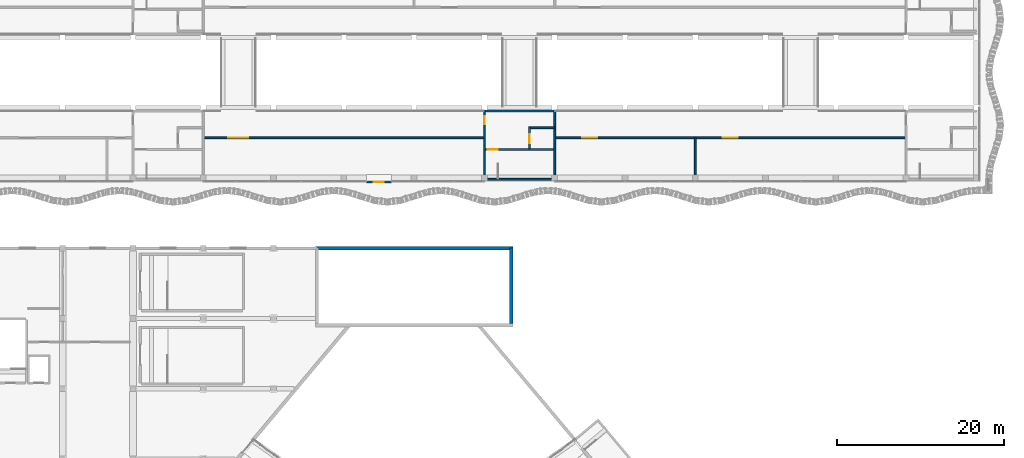
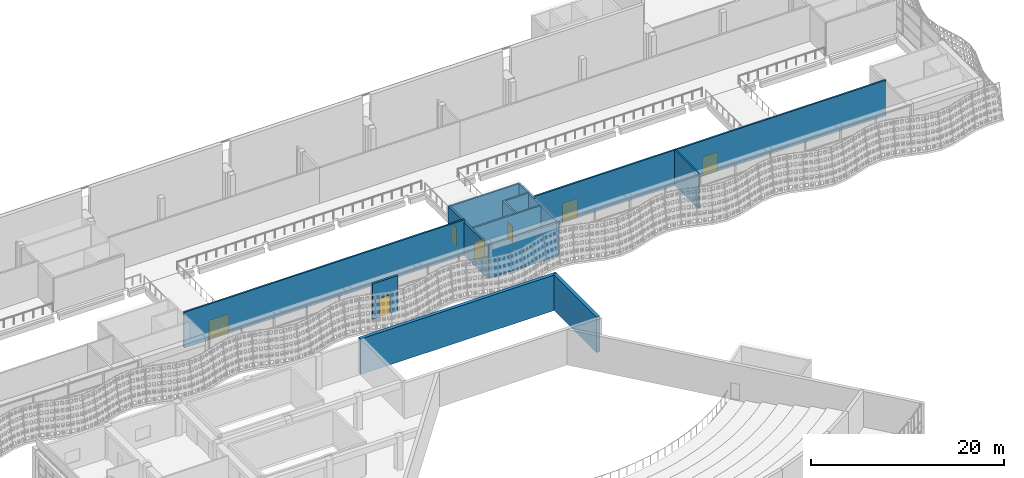
# One storey, part 89 of 162: 14 walls, 7 doors, 7 openings.
"""IFC4 building model written with IfcOpenShell, lengths in metres."""

from ifc_helpers import new_model, si_unit, direction, frame, frame_2d, origin, place, context, subcontext, project, spatial, rectangle, extrude, material, layer, layer_set, type_object, element, fill, save


model = new_model("IFC4")

# Units and contexts
model_context = context("Model", 3, precision=1e-05, world=origin(), true_north=direction((0.0, 1.0)))
body_context = subcontext(model_context, "Body", "Model", "MODEL_VIEW")
ifc_project = project(units=[si_unit("LENGTHUNIT", "METRE"), si_unit("AREAUNIT", "SQUARE_METRE"), si_unit("VOLUMEUNIT", "CUBIC_METRE"), si_unit("PLANEANGLEUNIT", "RADIAN"), si_unit("MASSUNIT", "GRAM", prefix="KILO")], contexts=[model_context])

# Site, building, storey
site_placement = place(None, origin())
site = spatial("IfcSite", under=ifc_project, at=site_placement, CompositionType="ELEMENT")
building_placement = place(site_placement, origin())
building = spatial("IfcBuilding", under=site, at=building_placement, Name="Rain Tree Exposition and Congress Centre", CompositionType="ELEMENT")
storey_placement = place(building_placement, frame((0.0, 0.0, 6.0)))
storey = spatial("IfcBuildingStorey", under=building, at=storey_placement, Name="L01", CompositionType="ELEMENT", Elevation=6.0)

# Walls
ifc_material_1 = material(Name="Concrete C40/50", Category="concrete")
ifc_layer_1 = layer(ifc_material_1, 0.39990234375)
ifc_layer_set_1 = layer_set([ifc_layer_1], Name="Concrete C40/50")
wall_type_1 = type_object("IfcWallType", Name="Acoustic wall 400", PredefinedType="SHEAR", material=ifc_layer_set_1)
wall_1_placement = place(storey_placement, frame((213.199951171875, 58.2099609375, 0.0), z_axis=(0.0, 0.0, 1.0), x_axis=(0.0, 1.0, 0.0)))
element("IfcWall", 1, at=wall_1_placement, inside=storey, type_object=wall_type_1, Name="Stage house east wall", PredefinedType="SHEAR", context=body_context, shape_type="SweptSolid", body=[
    extrude(rectangle(XDim=8.989990234375, YDim=0.39990234375, at=frame_2d((4.4951171875, 0.0))), origin(), (0.0, 0.0, 1.0), 4.5),
])
wall_2_placement = place(storey_placement, frame((213.39990234375, 67.199951171875, 0.0), z_axis=(0.0, 0.0, 1.0), x_axis=(-1.0, 0.0, 0.0)))
element("IfcWall", 2, at=wall_2_placement, inside=storey, type_object=wall_type_1, Name="Stage house north wall", PredefinedType="SHEAR", context=body_context, shape_type="SweptSolid", body=[
    extrude(rectangle(XDim=23.599853515625, YDim=0.39990234375, at=frame_2d((11.7998046875, 0.0))), origin(), (0.0, 0.0, 1.0), 4.5),
])
ifc_material_2 = material(Name="Hollow blockwork partition", Category="masonry")
ifc_layer_2 = layer(ifc_material_2, 0.199951171875)
ifc_layer_set_2 = layer_set([ifc_layer_2], Name="Hollow blockwork partition")
wall_type_2 = type_object("IfcWallType", Name="Concourse blockwork partition 200", PredefinedType="PARTITIONING", material=ifc_layer_set_2)
wall_3_placement = place(storey_placement, frame((235.199951171875, 75.39990234375, 0.0), z_axis=(0.0, 0.0, 1.0), x_axis=(0.0, 1.0, 0.0)))
element("IfcWall", 3, at=wall_3_placement, inside=storey, type_object=wall_type_2, Name="Concourse partition L01", PredefinedType="PARTITIONING", context=body_context, shape_type="SweptSolid", body=[
    extrude(rectangle(XDim=5.0, YDim=0.199951171875, at=frame_2d((2.5, 0.0))), origin(), (0.0, 0.0, 1.0), 4.5),
])

# Wall, opening, door
wall_4_placement = place(storey_placement, frame((176.39990234375, 80.39990234375, 0.0), z_axis=(0.0, 0.0, 1.0), x_axis=(1.0, 0.0, 0.0)))
wall_4 = element("IfcWall", 4, at=wall_4_placement, inside=storey, type_object=wall_type_2, Name="Concourse room front L01", PredefinedType="PARTITIONING", context=body_context, shape_type="SweptSolid", body=[
    extrude(rectangle(XDim=33.60009765625, YDim=0.199951171875, at=frame_2d((16.800048828125, 0.0))), origin(), (0.0, 0.0, 1.0), 4.5),
])
opening_1_placement = place(wall_4_placement, frame((3.0, 0.0, 0.0)))
opening_1 = element("IfcOpeningElement", 5, at=opening_1_placement, cuts=wall_4, Name="Opening DC054", PredefinedType="OPENING", context=body_context, shape_type="SweptSolid", body=[
    extrude(rectangle(XDim=2.39990234375, YDim=2.39990234375, at=frame_2d((1.199951171875, 1.199951171875))), frame((0.0, 0.10009765625, 0.0), z_axis=(0.0, -1.0, 0.0), x_axis=(1.0, 0.0, 0.0)), (0.0, 0.0, 1.0), 0.199951171875),
])
ifc_material_3 = material(Name="Aluminium framed glazed door", Category="aluminium")
door_type_1 = type_object("IfcDoorType", Name="Concourse double door 2400x2400", OperationType="DOUBLE_DOOR_DOUBLE_SWING", PredefinedType="DOOR", material=ifc_material_3)
door_1_placement = place(opening_1_placement, origin())
door_1 = element("IfcDoor", 6, at=door_1_placement, inside=storey, type_object=door_type_1, Name="Room door DC054", OperationType="DOUBLE_DOOR_DOUBLE_SWING", OverallHeight=2.39990234375, OverallWidth=2.39990234375, PredefinedType="DOOR", context=body_context, shape_type="SweptSolid", body=[
    extrude(rectangle(XDim=2.39990234375, YDim=2.39990234375, at=frame_2d((1.199951171875, 1.199951171875))), frame((0.0, 0.02490234375, 0.0), z_axis=(0.0, -1.0, 0.0), x_axis=(1.0, 0.0, 0.0)), (0.0, 0.0, 1.0), 0.050048828125),
])
fill(opening_1, door_1)

wall_5_placement = place(storey_placement, frame((218.39990234375, 80.39990234375, 0.0), z_axis=(0.0, 0.0, 1.0), x_axis=(1.0, 0.0, 0.0)))
wall_5 = element("IfcWall", 7, at=wall_5_placement, inside=storey, type_object=wall_type_2, Name="Concourse room front L01", PredefinedType="PARTITIONING", context=body_context, shape_type="SweptSolid", body=[
    extrude(rectangle(XDim=16.800048828125, YDim=0.199951171875, at=frame_2d((8.39990234375, 0.0))), origin(), (0.0, 0.0, 1.0), 4.5),
])
opening_2_placement = place(wall_5_placement, frame((3.300048828125, 0.0, 0.0)))
opening_2 = element("IfcOpeningElement", 8, at=opening_2_placement, cuts=wall_5, Name="Opening DC055", PredefinedType="OPENING", context=body_context, shape_type="SweptSolid", body=[
    extrude(rectangle(XDim=1.800048828125, YDim=2.39990234375, at=frame_2d((0.89990234375, 1.199951171875))), frame((0.0, 0.10009765625, 0.0), z_axis=(0.0, -1.0, 0.0), x_axis=(1.0, 0.0, 0.0)), (0.0, 0.0, 1.0), 0.199951171875),
])
ifc_material_4 = material(Name="Aluminium framed glazed door", Category="aluminium")
door_type_2 = type_object("IfcDoorType", Name="Concourse double door 1800x2400", OperationType="DOUBLE_DOOR_DOUBLE_SWING", PredefinedType="DOOR", material=ifc_material_4)
door_2_placement = place(opening_2_placement, origin())
door_2 = element("IfcDoor", 9, at=door_2_placement, inside=storey, type_object=door_type_2, Name="Room door DC055", OperationType="DOUBLE_DOOR_DOUBLE_SWING", OverallHeight=2.39990234375, OverallWidth=1.800048828125, PredefinedType="DOOR", context=body_context, shape_type="SweptSolid", body=[
    extrude(rectangle(XDim=1.800048828125, YDim=2.39990234375, at=frame_2d((0.89990234375, 1.199951171875))), frame((0.0, 0.02490234375, 0.0), z_axis=(0.0, -1.0, 0.0), x_axis=(1.0, 0.0, 0.0)), (0.0, 0.0, 1.0), 0.050048828125),
])
fill(opening_2, door_2)

wall_6_placement = place(storey_placement, frame((235.199951171875, 80.39990234375, 0.0), z_axis=(0.0, 0.0, 1.0), x_axis=(1.0, 0.0, 0.0)))
wall_6 = element("IfcWall", 10, at=wall_6_placement, inside=storey, type_object=wall_type_2, Name="Concourse room front L01", PredefinedType="PARTITIONING", context=body_context, shape_type="SweptSolid", body=[
    extrude(rectangle(XDim=25.199951171875, YDim=0.199951171875, at=frame_2d((12.60009765625, 0.0))), origin(), (0.0, 0.0, 1.0), 4.5),
])
opening_3_placement = place(wall_6_placement, frame((3.300048828125, 0.0, 0.0)))
opening_3 = element("IfcOpeningElement", 11, at=opening_3_placement, cuts=wall_6, Name="Opening DC056", PredefinedType="OPENING", context=body_context, shape_type="SweptSolid", body=[
    extrude(rectangle(XDim=1.800048828125, YDim=2.39990234375, at=frame_2d((0.89990234375, 1.199951171875))), frame((0.0, 0.10009765625, 0.0), z_axis=(0.0, -1.0, 0.0), x_axis=(1.0, 0.0, 0.0)), (0.0, 0.0, 1.0), 0.199951171875),
])
door_3_placement = place(opening_3_placement, origin())
door_3 = element("IfcDoor", 12, at=door_3_placement, inside=storey, type_object=door_type_2, Name="Room door DC056", OperationType="DOUBLE_DOOR_DOUBLE_SWING", OverallHeight=2.39990234375, OverallWidth=1.800048828125, PredefinedType="DOOR", context=body_context, shape_type="SweptSolid", body=[
    extrude(rectangle(XDim=1.800048828125, YDim=2.39990234375, at=frame_2d((0.89990234375, 1.199951171875))), frame((0.0, 0.02490234375, 0.0), z_axis=(0.0, -1.0, 0.0), x_axis=(1.0, 0.0, 0.0)), (0.0, 0.0, 1.0), 0.050048828125),
])
fill(opening_3, door_3)

ifc_material_5 = material(Name="Concrete C40/50", Category="concrete")
ifc_layer_3 = layer(ifc_material_5, 0.25)
ifc_layer_set_3 = layer_set([ifc_layer_3], Name="Concrete C40/50")
wall_type_3 = type_object("IfcWallType", Name="Concourse entrance infill wall 250", PredefinedType="SOLIDWALL", material=ifc_layer_set_3)
wall_7_placement = place(storey_placement, frame((195.89990234375, 75.125, 0.0), z_axis=(0.0, 0.0, 1.0), x_axis=(1.0, 0.0, 0.0)))
wall_7 = element("IfcWall", 13, at=wall_7_placement, inside=storey, type_object=wall_type_3, Name="Concourse entrance infill wall", PredefinedType="SOLIDWALL", context=body_context, shape_type="SweptSolid", body=[
    extrude(rectangle(XDim=3.0, YDim=0.25, at=frame_2d((1.5, 0.0))), origin(), (0.0, 0.0, 1.0), 4.5),
])
opening_4_placement = place(wall_7_placement, frame((0.89990234375, 0.0, 0.0)))
opening_4 = element("IfcOpeningElement", 14, at=opening_4_placement, cuts=wall_7, Name="Opening DC015", PredefinedType="OPENING", context=body_context, shape_type="SweptSolid", body=[
    extrude(rectangle(XDim=1.199951171875, YDim=2.39990234375, at=frame_2d((0.60009765625, 1.199951171875))), frame((0.0, 0.125, 0.0), z_axis=(0.0, -1.0, 0.0), x_axis=(1.0, 0.0, 0.0)), (0.0, 0.0, 1.0), 0.25),
])
ifc_material_6 = material(Name="Aluminium framed glazed door", Category="aluminium")
door_type_3 = type_object("IfcDoorType", Name="Concourse single door 1200x2400", OperationType="NOTDEFINED", PredefinedType="DOOR", material=ifc_material_6)
door_4_placement = place(opening_4_placement, origin())
door_4 = element("IfcDoor", 15, at=door_4_placement, inside=storey, type_object=door_type_3, Name="Terrace door DC015", OperationType="SINGLE_SWING_RIGHT", OverallHeight=2.39990234375, OverallWidth=1.199951171875, PredefinedType="DOOR", context=body_context, shape_type="SweptSolid", body=[
    extrude(rectangle(XDim=1.199951171875, YDim=2.39990234375, at=frame_2d((0.60009765625, 1.199951171875))), frame((0.0, 0.02490234375, 0.0), z_axis=(0.0, -1.0, 0.0), x_axis=(1.0, 0.0, 0.0)), (0.0, 0.0, 1.0), 0.050048828125),
])
fill(opening_4, door_4)

ifc_material_7 = material(Name="Concrete C40/50", Category="concrete")
ifc_layer_4 = layer(ifc_material_7, 0.199951171875)
ifc_layer_set_4 = layer_set([ifc_layer_4], Name="Concrete C40/50")
wall_type_4 = type_object("IfcWallType", Name="Concourse shaft and core wall 200", PredefinedType="SOLIDWALL", material=ifc_layer_set_4)
wall_8_placement = place(storey_placement, frame((210.0, 75.39990234375, 0.0), z_axis=(0.0, 0.0, 1.0), x_axis=(0.0, 1.0, 0.0)))
wall_8 = element("IfcWall", 16, at=wall_8_placement, inside=storey, type_object=wall_type_4, Name="Concourse core wall L01", PredefinedType="SOLIDWALL", context=body_context, shape_type="SweptSolid", body=[
    extrude(rectangle(XDim=8.2001953125, YDim=0.199951171875, at=frame_2d((4.10009765625, 0.0))), origin(), (0.0, 0.0, 1.0), 4.199951171875),
])
opening_5_placement = place(wall_8_placement, frame((6.60009765625, 0.0, 0.0)))
opening_5 = element("IfcOpeningElement", 17, at=opening_5_placement, cuts=wall_8, Name="Opening DC042", PredefinedType="OPENING", context=body_context, shape_type="SweptSolid", body=[
    extrude(rectangle(XDim=1.0, YDim=2.39990234375, at=frame_2d((0.5, 1.199951171875))), frame((0.0, 0.10009765625, 0.0), z_axis=(0.0, -1.0, 0.0), x_axis=(1.0, 0.0, 0.0)), (0.0, 0.0, 1.0), 0.199951171875),
])
ifc_material_8 = material(Name="Aluminium framed glazed door", Category="aluminium")
door_type_4 = type_object("IfcDoorType", Name="Concourse single door 1000x2400", OperationType="NOTDEFINED", PredefinedType="DOOR", material=ifc_material_8)
door_5_placement = place(opening_5_placement, origin())
door_5 = element("IfcDoor", 18, at=door_5_placement, inside=storey, type_object=door_type_4, Name="Stair lobby door DC042", OperationType="SINGLE_SWING_RIGHT", OverallHeight=2.39990234375, OverallWidth=1.0, PredefinedType="DOOR", context=body_context, shape_type="SweptSolid", body=[
    extrude(rectangle(XDim=1.0, YDim=2.39990234375, at=frame_2d((0.5, 1.199951171875))), frame((0.0, 0.02490234375, 0.0), z_axis=(0.0, -1.0, 0.0), x_axis=(1.0, 0.0, 0.0)), (0.0, 0.0, 1.0), 0.050048828125),
])
fill(opening_5, door_5)

# Walls
wall_9_placement = place(storey_placement, frame((218.39990234375, 75.39990234375, 0.0), z_axis=(0.0, 0.0, 1.0), x_axis=(0.0, 1.0, 0.0)))
element("IfcWall", 19, at=wall_9_placement, inside=storey, type_object=wall_type_4, Name="Concourse core wall L01", PredefinedType="SOLIDWALL", context=body_context, shape_type="SweptSolid", body=[
    extrude(rectangle(XDim=8.2001953125, YDim=0.199951171875, at=frame_2d((4.10009765625, 0.0))), origin(), (0.0, 0.0, 1.0), 4.199951171875),
])
for number, where, z_axis, x_axis, name in (
    (20, (210.0, 83.60009765625, 0.0), (0.0, 0.0, 1.0), (1.0, 0.0, 0.0), "Concourse lobby front L01"),
    (21, (210.0, 75.449951171875, 0.0), (0.0, 0.0, 1.0), (1.0, 0.0, 0.0), "Concourse stair wall L01"),
):
    element("IfcWall", number, at=place(storey_placement, frame(where, z_axis=z_axis, x_axis=x_axis)), inside=storey, type_object=wall_type_4, Name=name, PredefinedType="SOLIDWALL", context=body_context, shape_type="SweptSolid", body=[
        extrude(rectangle(XDim=8.39990234375, YDim=0.199951171875, at=frame_2d((4.199951171875, 0.0))), origin(), (0.0, 0.0, 1.0), 4.199951171875),
    ])

# Wall, opening, door
wall_10_placement = place(storey_placement, frame((210.0, 79.0, 0.0), z_axis=(0.0, 0.0, 1.0), x_axis=(1.0, 0.0, 0.0)))
wall_10 = element("IfcWall", 22, at=wall_10_placement, inside=storey, type_object=wall_type_4, Name="Concourse stair wall L01", PredefinedType="SOLIDWALL", context=body_context, shape_type="SweptSolid", body=[
    extrude(rectangle(XDim=8.39990234375, YDim=0.199951171875, at=frame_2d((4.199951171875, 0.0))), origin(), (0.0, 0.0, 1.0), 4.199951171875),
])
opening_6_placement = place(wall_10_placement, frame((0.39990234375, 0.0, 0.0)))
opening_6 = element("IfcOpeningElement", 23, at=opening_6_placement, cuts=wall_10, Name="Opening DC114", PredefinedType="OPENING", context=body_context, shape_type="SweptSolid", body=[
    extrude(rectangle(XDim=1.199951171875, YDim=2.39990234375, at=frame_2d((0.60009765625, 1.199951171875))), frame((0.0, 0.10009765625, 0.0), z_axis=(0.0, -1.0, 0.0), x_axis=(1.0, 0.0, 0.0)), (0.0, 0.0, 1.0), 0.199951171875),
])
door_6_placement = place(opening_6_placement, origin())
door_6 = element("IfcDoor", 24, at=door_6_placement, inside=storey, type_object=door_type_3, Name="Stair door DC114", OperationType="SINGLE_SWING_LEFT", OverallHeight=2.39990234375, OverallWidth=1.199951171875, PredefinedType="DOOR", context=body_context, shape_type="SweptSolid", body=[
    extrude(rectangle(XDim=1.199951171875, YDim=2.39990234375, at=frame_2d((0.60009765625, 1.199951171875))), frame((0.0, 0.02490234375, 0.0), z_axis=(0.0, -1.0, 0.0), x_axis=(1.0, 0.0, 0.0)), (0.0, 0.0, 1.0), 0.050048828125),
])
fill(opening_6, door_6)

wall_11_placement = place(storey_placement, frame((215.39990234375, 79.10009765625, 0.0), z_axis=(0.0, 0.0, 1.0), x_axis=(0.0, 1.0, 0.0)))
wall_11 = element("IfcWall", 25, at=wall_11_placement, inside=storey, type_object=wall_type_4, Name="Concourse lift shaft wall L01", PredefinedType="SOLIDWALL", context=body_context, shape_type="SweptSolid", body=[
    extrude(rectangle(XDim=2.599853515625, YDim=0.199951171875, at=frame_2d((1.2998046875, 0.0))), origin(), (0.0, 0.0, 1.0), 4.199951171875),
])
opening_7_placement = place(wall_11_placement, frame((0.64990234375, 0.0, 0.0)))
opening_7 = element("IfcOpeningElement", 26, at=opening_7_placement, cuts=wall_11, Name="Opening DC116", PredefinedType="OPENING", context=body_context, shape_type="SweptSolid", body=[
    extrude(rectangle(XDim=1.10009765625, YDim=2.10009765625, at=frame_2d((0.550048828125, 1.050048828125))), frame((0.0, 0.10009765625, 0.0), z_axis=(0.0, -1.0, 0.0), x_axis=(1.0, 0.0, 0.0)), (0.0, 0.0, 1.0), 0.199951171875),
])
ifc_material_9 = material(Name="Stainless steel", Category="steel")
door_type_5 = type_object("IfcDoorType", Name="Lift landing door 1100x2100", OperationType="DOUBLE_DOOR_SLIDING", PredefinedType="DOOR", material=ifc_material_9)
door_7_placement = place(opening_7_placement, origin())
door_7 = element("IfcDoor", 27, at=door_7_placement, inside=storey, type_object=door_type_5, Name="Lift landing door DC116", OperationType="DOUBLE_DOOR_SLIDING", OverallHeight=2.10009765625, OverallWidth=1.10009765625, PredefinedType="DOOR", context=body_context, shape_type="SweptSolid", body=[
    extrude(rectangle(XDim=1.10009765625, YDim=2.10009765625, at=frame_2d((0.550048828125, 1.050048828125))), frame((0.0, 0.02490234375, 0.0), z_axis=(0.0, -1.0, 0.0), x_axis=(1.0, 0.0, 0.0)), (0.0, 0.0, 1.0), 0.050048828125),
])
fill(opening_7, door_7)

# Wall
wall_12_placement = place(storey_placement, frame((215.300048828125, 81.60009765625, 0.0), z_axis=(0.0, 0.0, 1.0), x_axis=(1.0, 0.0, 0.0)))
element("IfcWall", 28, at=wall_12_placement, inside=storey, type_object=wall_type_4, Name="Concourse lift shaft wall L01", PredefinedType="SOLIDWALL", context=body_context, shape_type="SweptSolid", body=[
    extrude(rectangle(XDim=3.099853515625, YDim=0.199951171875, at=frame_2d((1.5498046875, 0.0))), origin(), (0.0, 0.0, 1.0), 4.199951171875),
])

save(model, "model.ifc")
